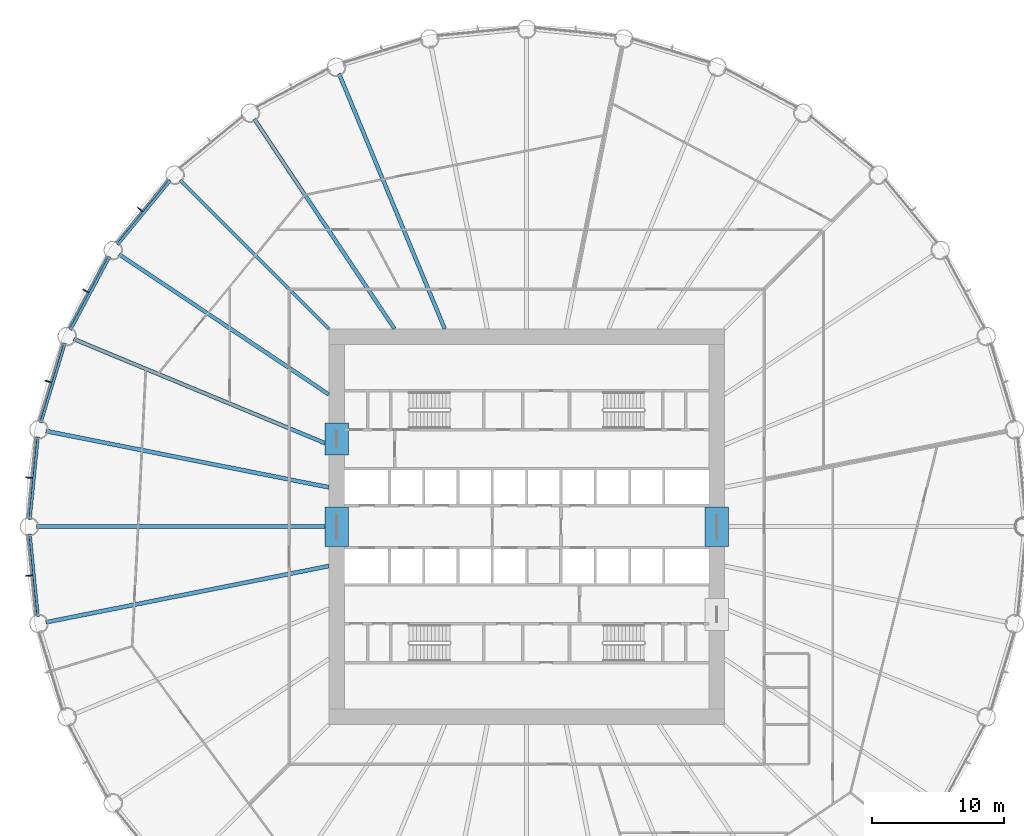
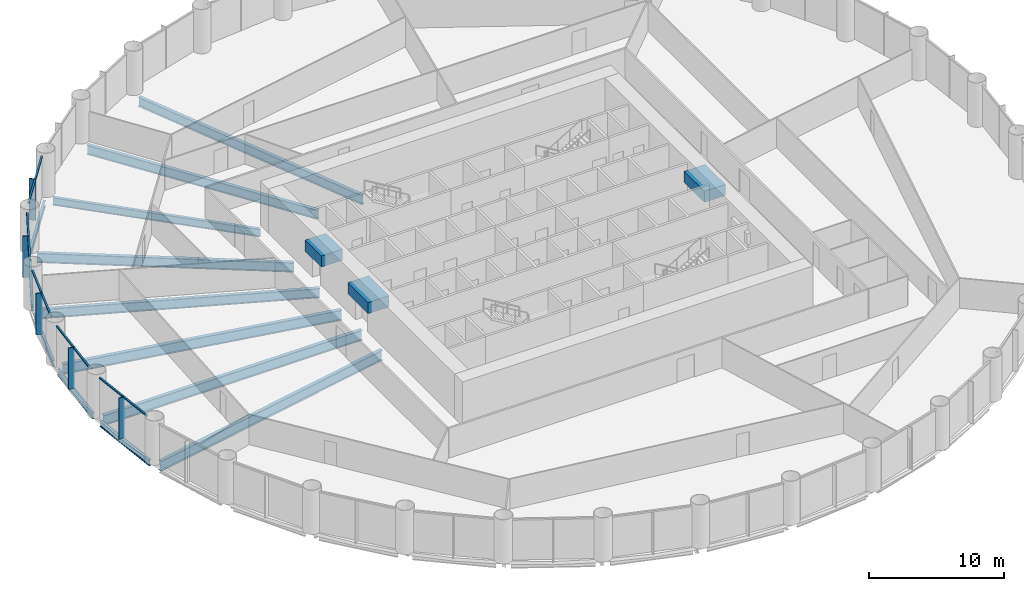
# One storey, part 4 of 15: 16 beams, 15 members, 5 elements without a shape of their own.
"""IFC4 building model written with IfcOpenShell, lengths in metres."""

from ifc_helpers import new_model, si_unit, direction, frame, origin, origin_2d, place, context, subcontext, project, spatial, rectangle, i_section, extrude, material, material_profile, profile_set, type_object, element, aggregate, save


model = new_model("IFC4")

# Units and contexts
model_context = context("Model", 3, precision=1e-05, world=origin(), true_north=direction((0.0, 1.0)))
body_context = subcontext(model_context, "Body", "Model", "MODEL_VIEW")
ifc_project = project(units=[si_unit("LENGTHUNIT", "METRE"), si_unit("AREAUNIT", "SQUARE_METRE"), si_unit("VOLUMEUNIT", "CUBIC_METRE"), si_unit("PLANEANGLEUNIT", "RADIAN"), si_unit("MASSUNIT", "GRAM", prefix="KILO")], contexts=[model_context])

# Site, building, storey
site_placement = place(None, origin())
site = spatial("IfcSite", under=ifc_project, at=site_placement, CompositionType="ELEMENT")
building_placement = place(site_placement, origin())
building = spatial("IfcBuilding", under=site, at=building_placement, Name="Corvane Civic Tower", CompositionType="ELEMENT")
storey_placement = place(building_placement, frame((0.0, 0.0, 69.0)))
storey = spatial("IfcBuildingStorey", under=building, at=storey_placement, Name="L15", CompositionType="ELEMENT", Elevation=69.0)

# Beams
ifc_material_1 = material(Name="Concrete C80/95", Category="concrete")
ifc_material_profile_1 = material_profile(ifc_material_1, rectangle(XDim=1.800048828125, YDim=1.0, at=origin_2d()), Name="COUPLING BEAM 1800X1000")
ifc_profile_set_1 = profile_set([ifc_material_profile_1], Name="Concrete C80/95")
beam_type_1 = type_object("IfcBeamType", Name="COUPLING BEAM COUPLING BEAM 1800X1000", PredefinedType="BEAM", material=ifc_profile_set_1)
for number, where, z_axis, x_axis, name in (
    (1, (-14.39990234375, -1.5, 2.60009765625), (0.0, 1.0, 0.0), (-1.0, 0.0, 0.0), "BM-L15-cpl-CW-LW"),
    (2, (14.39990234375, -1.5, 2.60009765625), (0.0, 1.0, 0.0), (-1.0, 0.0, 0.0), "BM-L15-cpl-CW-LE"),
):
    element("IfcBeam", number, at=place(storey_placement, frame(where, z_axis=z_axis, x_axis=x_axis)), inside=storey, type_object=beam_type_1, Name=name, PredefinedType="BEAM", context=body_context, shape_type="SweptSolid", body=[
        extrude(rectangle(XDim=1.800048828125, YDim=1.0, at=origin_2d()), origin(), (0.0, 0.0, 1.0), 3.0),
    ])
beam_1_placement = place(storey_placement, frame((-14.39990234375, 5.449951171875, 2.60009765625), z_axis=(0.0, 1.0, 0.0), x_axis=(-1.0, 0.0, 0.0)))
element("IfcBeam", 3, at=beam_1_placement, inside=storey, type_object=beam_type_1, Name="BM-L15-cpl-CW-WN", PredefinedType="BEAM", context=body_context, shape_type="SweptSolid", body=[
    extrude(rectangle(XDim=1.800048828125, YDim=1.0, at=origin_2d()), origin(), (0.0, 0.0, 1.0), 2.400146484375),
])
ifc_material_2 = material(Name="Steel ASTM A992 Gr 50", Category="steel")
ifc_material_profile_2 = material_profile(ifc_material_2, i_section(OverallWidth=0.209228515625, OverallDepth=0.533447265625, WebThickness=0.01025390625, FlangeThickness=0.015625, at=origin_2d()), Name="W21X62")
ifc_profile_set_2 = profile_set([ifc_material_profile_2], Name="Steel ASTM A992 Gr 50")
beam_type_2 = type_object("IfcBeamType", Name="EDGE BEAM W21X62", PredefinedType="BEAM", material=ifc_profile_set_2)
for number, where, z_axis, x_axis, name in (
    (4, (-37.029541015625, -6.8076171875, -0.566650390625), (-0.097997284622, 0.995186682089, 0.0), (-0.995186682089, -0.097997284622, 0.0), "BM-L15-E24"),
    (5, (-37.64599609375, 0.54736328125, -0.566650390625), (0.097997284622, 0.995186682089, 0.0), (-0.995186682089, 0.097997284622, 0.0), "BM-L15-E25"),
):
    element("IfcBeam", number, at=place(storey_placement, frame(where, z_axis=z_axis, x_axis=x_axis)), inside=storey, type_object=beam_type_2, Name=name, PredefinedType="BEAM", context=body_context, shape_type="SweptSolid", body=[
        extrude(i_section(OverallWidth=0.209228515625, OverallDepth=0.533447265625, WebThickness=0.01025390625, FlangeThickness=0.015625, at=origin_2d()), origin(), (0.0, 0.0, 1.0), 6.29052734375),
    ])
for number, where, z_axis, x_axis, name in (
    (6, (-36.81591796875, 7.88134765625, -0.566650390625), (0.290273452184, 0.956943740748, 0.0), (-0.956943740748, 0.290273452184, 0.0), "BM-L15-E26"),
    (7, (-34.571044921875, 14.912353515625, -0.566650390625), (0.471405897311, 0.881916367906, 0.0), (-0.881916367906, 0.471405897311, 0.0), "BM-L15-E27"),
):
    element("IfcBeam", number, at=place(storey_placement, frame(where, z_axis=z_axis, x_axis=x_axis)), inside=storey, type_object=beam_type_2, Name=name, PredefinedType="BEAM", context=body_context, shape_type="SweptSolid", body=[
        extrude(i_section(OverallWidth=0.209228515625, OverallDepth=0.533447265625, WebThickness=0.01025390625, FlangeThickness=0.015625, at=origin_2d()), origin(), (0.0, 0.0, 1.0), 6.290283203125),
    ])
beam_2_placement = place(storey_placement, frame((-30.99755859375, 21.3701171875, -0.566650390625), z_axis=(0.634386787141, 0.773015785286, 0.0), x_axis=(-0.773015785286, 0.634386787141, 0.0)))
element("IfcBeam", 8, at=beam_2_placement, inside=storey, type_object=beam_type_2, Name="BM-L15-E28", PredefinedType="BEAM", context=body_context, shape_type="SweptSolid", body=[
    extrude(i_section(OverallWidth=0.209228515625, OverallDepth=0.533447265625, WebThickness=0.01025390625, FlangeThickness=0.015625, at=origin_2d()), origin(), (0.0, 0.0, 1.0), 6.290771484375),
])
ifc_material_3 = material(Name="Steel ASTM A992 Gr 50", Category="steel")
ifc_material_profile_3 = material_profile(ifc_material_3, i_section(OverallWidth=0.256591796875, OverallDepth=0.693359375, WebThickness=0.014404296875, FlangeThickness=0.023681640625, at=origin_2d()), Name="W27X114")
ifc_profile_set_3 = profile_set([ifc_material_profile_3], Name="Steel ASTM A992 Gr 50")
beam_type_3 = type_object("IfcBeamType", Name="FLOOR GIRDER W27X114", PredefinedType="BEAM", material=ifc_profile_set_3)
beam_3_placement = place(storey_placement, frame((-15.0, 15.0, -0.646728515625), z_axis=(-0.707106781187, 0.707106781187, 0.0), x_axis=(-0.707106781187, -0.707106781187, 0.0)))
element("IfcBeam", 9, at=beam_3_placement, inside=storey, type_object=beam_type_3, Name="BM-L15-G29", PredefinedType="BEAM", context=body_context, shape_type="SweptSolid", body=[
    extrude(i_section(OverallWidth=0.256591796875, OverallDepth=0.693359375, WebThickness=0.014404296875, FlangeThickness=0.023681640625, at=origin_2d()), origin(), (0.0, 0.0, 1.0), 15.936767578125),
])
ifc_material_4 = material(Name="Steel ASTM A992 Gr 50", Category="steel")
ifc_material_profile_4 = material_profile(ifc_material_4, i_section(OverallWidth=0.2919921875, OverallDepth=0.8583984375, WebThickness=0.01708984375, FlangeThickness=0.031005859375, at=origin_2d()), Name="W33X169")
ifc_profile_set_4 = profile_set([ifc_material_profile_4], Name="Steel ASTM A992 Gr 50")
beam_type_4 = type_object("IfcBeamType", Name="FLOOR GIRDER W33X169", PredefinedType="BEAM", material=ifc_profile_set_4)
beam_4_placement = place(storey_placement, frame((-15.0, 6.213134765625, -0.729248046875), z_axis=(-0.923875834355, 0.382692360381, 0.0), x_axis=(-0.382692360381, -0.923875834355, 0.0)))
element("IfcBeam", 10, at=beam_4_placement, inside=storey, type_object=beam_type_4, Name="BM-L15-G27", PredefinedType="BEAM", context=body_context, shape_type="SweptSolid", body=[
    extrude(i_section(OverallWidth=0.2919921875, OverallDepth=0.8583984375, WebThickness=0.01708984375, FlangeThickness=0.031005859375, at=origin_2d()), origin(), (0.0, 0.0, 1.0), 20.9140625),
])
for number, where, z_axis, x_axis, name in (
    (11, (-15.0, 10.022705078125, -0.729248046875), (-0.831471985418, 0.555566681385, 0.0), (-0.555566681385, -0.831471985418, 0.0), "BM-L15-G28"),
    (12, (-10.022705078125, 15.0, -0.729248046875), (-0.555566681385, 0.831471985418, 0.0), (-0.831471985418, -0.555566681385, 0.0), "BM-L15-G30"),
):
    element("IfcBeam", number, at=place(storey_placement, frame(where, z_axis=z_axis, x_axis=x_axis)), inside=storey, type_object=beam_type_4, Name=name, PredefinedType="BEAM", context=body_context, shape_type="SweptSolid", body=[
        extrude(i_section(OverallWidth=0.2919921875, OverallDepth=0.8583984375, WebThickness=0.01708984375, FlangeThickness=0.031005859375, at=origin_2d()), origin(), (0.0, 0.0, 1.0), 19.109619140625),
    ])
beam_5_placement = place(storey_placement, frame((-6.213134765625, 15.0, -0.729248046875), z_axis=(-0.382692360381, 0.923875834355, 0.0), x_axis=(-0.923875834355, -0.382692360381, 0.0)))
element("IfcBeam", 13, at=beam_5_placement, inside=storey, type_object=beam_type_4, Name="BM-L15-G31", PredefinedType="BEAM", context=body_context, shape_type="SweptSolid", body=[
    extrude(i_section(OverallWidth=0.2919921875, OverallDepth=0.8583984375, WebThickness=0.01708984375, FlangeThickness=0.031005859375, at=origin_2d()), origin(), (0.0, 0.0, 1.0), 20.9140625),
])
ifc_material_5 = material(Name="Steel ASTM A992 Gr 50", Category="steel")
ifc_material_profile_5 = material_profile(ifc_material_5, i_section(OverallWidth=0.307373046875, OverallDepth=0.927001953125, WebThickness=0.01953125, FlangeThickness=0.031982421875, at=origin_2d()), Name="W36X194")
ifc_profile_set_5 = profile_set([ifc_material_profile_5], Name="Steel ASTM A992 Gr 50")
beam_type_5 = type_object("IfcBeamType", Name="FLOOR GIRDER W36X194", PredefinedType="BEAM", material=ifc_profile_set_5)
beam_6_placement = place(storey_placement, frame((-15.0, -2.983642578125, -0.763671875), z_axis=(-0.980785499679, -0.195089219638, 0.0), x_axis=(0.195089219638, -0.980785499679, 0.0)))
element("IfcBeam", 14, at=beam_6_placement, inside=storey, type_object=beam_type_5, Name="BM-L15-G24", PredefinedType="BEAM", context=body_context, shape_type="SweptSolid", body=[
    extrude(i_section(OverallWidth=0.307373046875, OverallDepth=0.927001953125, WebThickness=0.01953125, FlangeThickness=0.031982421875, at=origin_2d()), origin(), (0.0, 0.0, 1.0), 21.856201171875),
])
beam_7_placement = place(storey_placement, frame((-15.0, 0.0, -0.763671875), z_axis=(-1.0, 0.0, 0.0), x_axis=(0.0, -1.0, 0.0)))
element("IfcBeam", 15, at=beam_7_placement, inside=storey, type_object=beam_type_5, Name="BM-L15-G25", PredefinedType="BEAM", context=body_context, shape_type="SweptSolid", body=[
    extrude(i_section(OverallWidth=0.307373046875, OverallDepth=0.927001953125, WebThickness=0.01953125, FlangeThickness=0.031982421875, at=origin_2d()), origin(), (0.0, 0.0, 1.0), 22.14990234375),
])
beam_8_placement = place(storey_placement, frame((-15.0, 2.983642578125, -0.763671875), z_axis=(-0.980785499679, 0.195089219638, 0.0), x_axis=(-0.195089219638, -0.980785499679, 0.0)))
element("IfcBeam", 16, at=beam_8_placement, inside=storey, type_object=beam_type_5, Name="BM-L15-G26", PredefinedType="BEAM", context=body_context, shape_type="SweptSolid", body=[
    extrude(i_section(OverallWidth=0.307373046875, OverallDepth=0.927001953125, WebThickness=0.01953125, FlangeThickness=0.031982421875, at=origin_2d()), origin(), (0.0, 0.0, 1.0), 21.856201171875),
])

# Curtain wall, members
ifc_material_6 = material(Name="Anodised aluminium bronze", Category="aluminium")
curtain_wall_type = type_object("IfcCurtainWallType", Name="TOWER CW-T1 STICK CURTAIN WALL", PredefinedType="NOTDEFINED", material=ifc_material_6)
curtain_wall_1_placement = place(storey_placement, origin())
curtain_wall_1 = element("IfcCurtainWall", 17, at=curtain_wall_1_placement, inside=storey, type_object=curtain_wall_type, Name="Curtain wall CW-T1 L15 bay 24", PredefinedType="NOTDEFINED")
ifc_material_7 = material(Name="Anodised aluminium bronze", Category="aluminium")
ifc_material_profile_6 = material_profile(ifc_material_7, rectangle(XDim=0.139892578125, YDim=0.1201171875, at=origin_2d()), Name="TOWER CW-T1 TRANSOM 140x120")
ifc_profile_set_6 = profile_set([ifc_material_profile_6], Name="Anodised aluminium bronze")
member_type_1 = type_object("IfcMemberType", Name="TOWER CW-T1 TRANSOM 140x120", PredefinedType="USERDEFINED", material=ifc_profile_set_6)
member_1_placement = place(storey_placement, frame((-37.21728515625, -6.72900390625, 3.68994140625), z_axis=(-0.097944923917, 0.995191836722, 0.0), x_axis=(-0.995191836722, -0.097944923917, 0.0)))
member_1 = element("IfcMember", 18, at=member_1_placement, type_object=member_type_1, Name="Transom CW-T1 L15 24.1", ObjectType="TRANSOM", PredefinedType="USERDEFINED", context=body_context, shape_type="SweptSolid", body=[
    extrude(rectangle(XDim=0.139892578125, YDim=0.1201171875, at=origin_2d()), origin(), (0.0, 0.0, 1.0), 3.008544921875),
])
member_2_placement = place(storey_placement, frame((-37.52001953125, -3.6552734375, 3.68994140625), z_axis=(-0.097944923917, 0.995191836722, 0.0), x_axis=(-0.995191836722, -0.097944923917, 0.0)))
member_2 = element("IfcMember", 19, at=member_2_placement, type_object=member_type_1, Name="Transom CW-T1 L15 24.2", ObjectType="TRANSOM", PredefinedType="USERDEFINED", context=body_context, shape_type="SweptSolid", body=[
    extrude(rectangle(XDim=0.139892578125, YDim=0.1201171875, at=origin_2d()), origin(), (0.0, 0.0, 1.0), 3.008544921875),
])

curtain_wall_2_placement = place(storey_placement, origin())
curtain_wall_2 = element("IfcCurtainWall", 20, at=curtain_wall_2_placement, inside=storey, type_object=curtain_wall_type, Name="Curtain wall CW-T1 L15 bay 25", PredefinedType="NOTDEFINED")
member_3_placement = place(storey_placement, frame((-37.814697265625, 0.6611328125, 3.68994140625), z_axis=(0.097944923917, 0.995191836722, 0.0), x_axis=(-0.995191836722, 0.097944923917, 0.0)))
member_3 = element("IfcMember", 21, at=member_3_placement, type_object=member_type_1, Name="Transom CW-T1 L15 25.1", ObjectType="TRANSOM", PredefinedType="USERDEFINED", context=body_context, shape_type="SweptSolid", body=[
    extrude(rectangle(XDim=0.139892578125, YDim=0.1201171875, at=origin_2d()), origin(), (0.0, 0.0, 1.0), 3.008544921875),
])
member_4_placement = place(storey_placement, frame((-37.511962890625, 3.73486328125, 3.68994140625), z_axis=(0.097944923917, 0.995191836722, 0.0), x_axis=(-0.995191836722, 0.097944923917, 0.0)))
member_4 = element("IfcMember", 22, at=member_4_placement, type_object=member_type_1, Name="Transom CW-T1 L15 25.2", ObjectType="TRANSOM", PredefinedType="USERDEFINED", context=body_context, shape_type="SweptSolid", body=[
    extrude(rectangle(XDim=0.139892578125, YDim=0.1201171875, at=origin_2d()), origin(), (0.0, 0.0, 1.0), 3.008544921875),
])

curtain_wall_3_placement = place(storey_placement, origin())
curtain_wall_3 = element("IfcCurtainWall", 23, at=curtain_wall_3_placement, inside=storey, type_object=curtain_wall_type, Name="Curtain wall CW-T1 L15 bay 26", PredefinedType="NOTDEFINED")
member_5_placement = place(storey_placement, frame((-36.959228515625, 8.02587890625, 3.68994140625), z_axis=(0.290279914268, 0.956941780555, 0.0), x_axis=(-0.956941780555, 0.290279914268, 0.0)))
member_5 = element("IfcMember", 24, at=member_5_placement, type_object=member_type_1, Name="Transom CW-T1 L15 26.1", ObjectType="TRANSOM", PredefinedType="USERDEFINED", context=body_context, shape_type="SweptSolid", body=[
    extrude(rectangle(XDim=0.139892578125, YDim=0.1201171875, at=origin_2d()), origin(), (0.0, 0.0, 1.0), 3.008544921875),
])
member_6_placement = place(storey_placement, frame((-36.062744140625, 10.9814453125, 3.68994140625), z_axis=(0.290279914268, 0.956941780555, 0.0), x_axis=(-0.956941780555, 0.290279914268, 0.0)))
member_6 = element("IfcMember", 25, at=member_6_placement, type_object=member_type_1, Name="Transom CW-T1 L15 26.2", ObjectType="TRANSOM", PredefinedType="USERDEFINED", context=body_context, shape_type="SweptSolid", body=[
    extrude(rectangle(XDim=0.139892578125, YDim=0.1201171875, at=origin_2d()), origin(), (0.0, 0.0, 1.0), 3.008544921875),
])

curtain_wall_4_placement = place(storey_placement, origin())
curtain_wall_4 = element("IfcCurtainWall", 26, at=curtain_wall_4_placement, inside=storey, type_object=curtain_wall_type, Name="Curtain wall CW-T1 L15 bay 27", PredefinedType="NOTDEFINED")
member_7_placement = place(storey_placement, frame((-34.683349609375, 15.08203125, 3.68994140625), z_axis=(0.471392506424, 0.881923525532, 0.0), x_axis=(-0.881923525532, 0.471392506424, 0.0)))
member_7 = element("IfcMember", 27, at=member_7_placement, type_object=member_type_1, Name="Transom CW-T1 L15 27.1", ObjectType="TRANSOM", PredefinedType="USERDEFINED", context=body_context, shape_type="SweptSolid", body=[
    extrude(rectangle(XDim=0.139892578125, YDim=0.1201171875, at=origin_2d()), origin(), (0.0, 0.0, 1.0), 3.008544921875),
])
member_8_placement = place(storey_placement, frame((-33.2275390625, 17.805908203125, 3.68994140625), z_axis=(0.471392506424, 0.881923525532, 0.0), x_axis=(-0.881923525532, 0.471392506424, 0.0)))
member_8 = element("IfcMember", 28, at=member_8_placement, type_object=member_type_1, Name="Transom CW-T1 L15 27.2", ObjectType="TRANSOM", PredefinedType="USERDEFINED", context=body_context, shape_type="SweptSolid", body=[
    extrude(rectangle(XDim=0.139892578125, YDim=0.1201171875, at=origin_2d()), origin(), (0.0, 0.0, 1.0), 3.008544921875),
])

curtain_wall_5_placement = place(storey_placement, origin())
curtain_wall_5 = element("IfcCurtainWall", 29, at=curtain_wall_5_placement, inside=storey, type_object=curtain_wall_type, Name="Curtain wall CW-T1 L15 bay 28", PredefinedType="NOTDEFINED")
member_9_placement = place(storey_placement, frame((-31.074462890625, 21.55859375, 3.68994140625), z_axis=(0.634355161466, 0.773041738279, 0.0), x_axis=(-0.773041738279, 0.634355161466, 0.0)))
member_9 = element("IfcMember", 30, at=member_9_placement, type_object=member_type_1, Name="Transom CW-T1 L15 28.1", ObjectType="TRANSOM", PredefinedType="USERDEFINED", context=body_context, shape_type="SweptSolid", body=[
    extrude(rectangle(XDim=0.139892578125, YDim=0.1201171875, at=origin_2d()), origin(), (0.0, 0.0, 1.0), 3.008544921875),
])
member_10_placement = place(storey_placement, frame((-29.115234375, 23.946044921875, 3.68994140625), z_axis=(0.634403652865, 0.773001943873, 0.0), x_axis=(-0.773001943873, 0.634403652865, 0.0)))
member_10 = element("IfcMember", 31, at=member_10_placement, type_object=member_type_1, Name="Transom CW-T1 L15 28.2", ObjectType="TRANSOM", PredefinedType="USERDEFINED", context=body_context, shape_type="SweptSolid", body=[
    extrude(rectangle(XDim=0.139892578125, YDim=0.1201171875, at=origin_2d()), origin(), (0.0, 0.0, 1.0), 3.008544921875),
])

# Member
ifc_material_8 = material(Name="Anodised aluminium bronze", Category="aluminium")
ifc_material_profile_7 = material_profile(ifc_material_8, rectangle(XDim=0.080078125, YDim=0.5, at=origin_2d()), Name="TOWER FIN MULLION 80x500 BRONZE")
ifc_profile_set_7 = profile_set([ifc_material_profile_7], Name="Anodised aluminium bronze")
member_type_2 = type_object("IfcMemberType", Name="TOWER FIN MULLION 80x500 BRONZE", PredefinedType="MULLION", material=ifc_profile_set_7)
member_11_placement = place(storey_placement, frame((-37.715087890625, -3.714599609375, 0.0), z_axis=(0.0, 0.0, 1.0), x_axis=(-0.098006239521, 0.995185800248, 0.0)))
member_11 = element("IfcMember", 32, at=member_11_placement, type_object=member_type_2, Name="Fin mullion 24 L15", PredefinedType="MULLION", context=body_context, shape_type="SweptSolid", body=[
    extrude(rectangle(XDim=0.080078125, YDim=0.5, at=origin_2d()), origin(), (0.0, 0.0, 1.0), 3.75),
])

aggregate(curtain_wall_1, [member_11, member_1, member_2])

member_12_placement = place(storey_placement, frame((-37.715087890625, 3.714599609375, 0.0), z_axis=(0.0, 0.0, 1.0), x_axis=(0.098006239521, 0.995185800248, 0.0)))
member_12 = element("IfcMember", 33, at=member_12_placement, type_object=member_type_2, Name="Fin mullion 25 L15", PredefinedType="MULLION", context=body_context, shape_type="SweptSolid", body=[
    extrude(rectangle(XDim=0.080078125, YDim=0.5, at=origin_2d()), origin(), (0.0, 0.0, 1.0), 3.75),
])

aggregate(curtain_wall_2, [member_12, member_3, member_4])

member_13_placement = place(storey_placement, frame((-36.265625, 11.001220703125, 0.0), z_axis=(0.0, 0.0, 1.0), x_axis=(0.290278397654, 0.956942240606, 0.0)))
member_13 = element("IfcMember", 34, at=member_13_placement, type_object=member_type_2, Name="Fin mullion 26 L15", PredefinedType="MULLION", context=body_context, shape_type="SweptSolid", body=[
    extrude(rectangle(XDim=0.080078125, YDim=0.5, at=origin_2d()), origin(), (0.0, 0.0, 1.0), 3.75),
])

aggregate(curtain_wall_3, [member_13, member_5, member_6])

member_14_placement = place(storey_placement, frame((-33.422607421875, 17.86474609375, 0.0), z_axis=(0.0, 0.0, 1.0), x_axis=(0.471403725359, 0.881917528864, 0.0)))
member_14 = element("IfcMember", 35, at=member_14_placement, type_object=member_type_2, Name="Fin mullion 27 L15", PredefinedType="MULLION", context=body_context, shape_type="SweptSolid", body=[
    extrude(rectangle(XDim=0.080078125, YDim=0.5, at=origin_2d()), origin(), (0.0, 0.0, 1.0), 3.75),
])

aggregate(curtain_wall_4, [member_14, member_7, member_8])

member_15_placement = place(storey_placement, frame((-29.295166015625, 24.0419921875, 0.0), z_axis=(0.0, 0.0, 1.0), x_axis=(0.634397218569, 0.773007224463, 0.0)))
member_15 = element("IfcMember", 36, at=member_15_placement, type_object=member_type_2, Name="Fin mullion 28 L15", PredefinedType="MULLION", context=body_context, shape_type="SweptSolid", body=[
    extrude(rectangle(XDim=0.080078125, YDim=0.5, at=origin_2d()), origin(), (0.0, 0.0, 1.0), 3.75),
])

aggregate(curtain_wall_5, [member_15, member_9, member_10])

save(model, "model.ifc")
